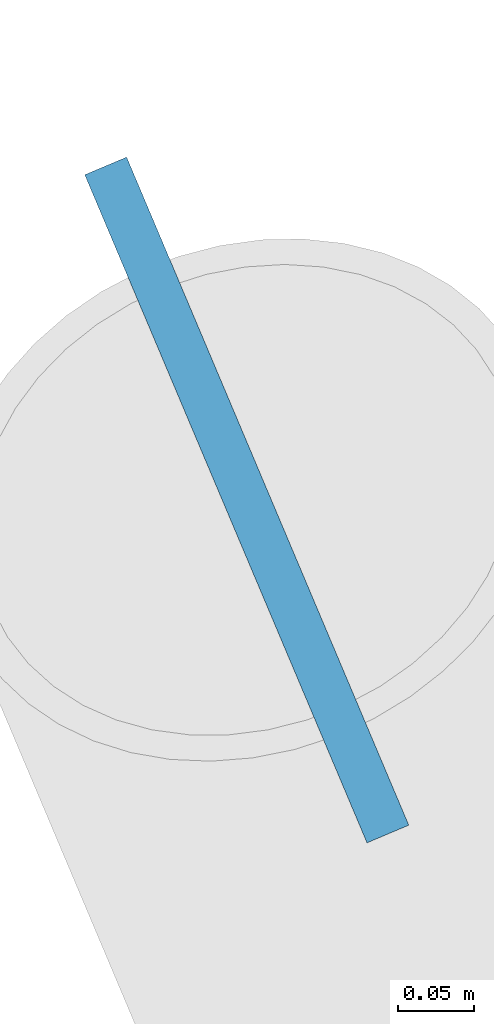
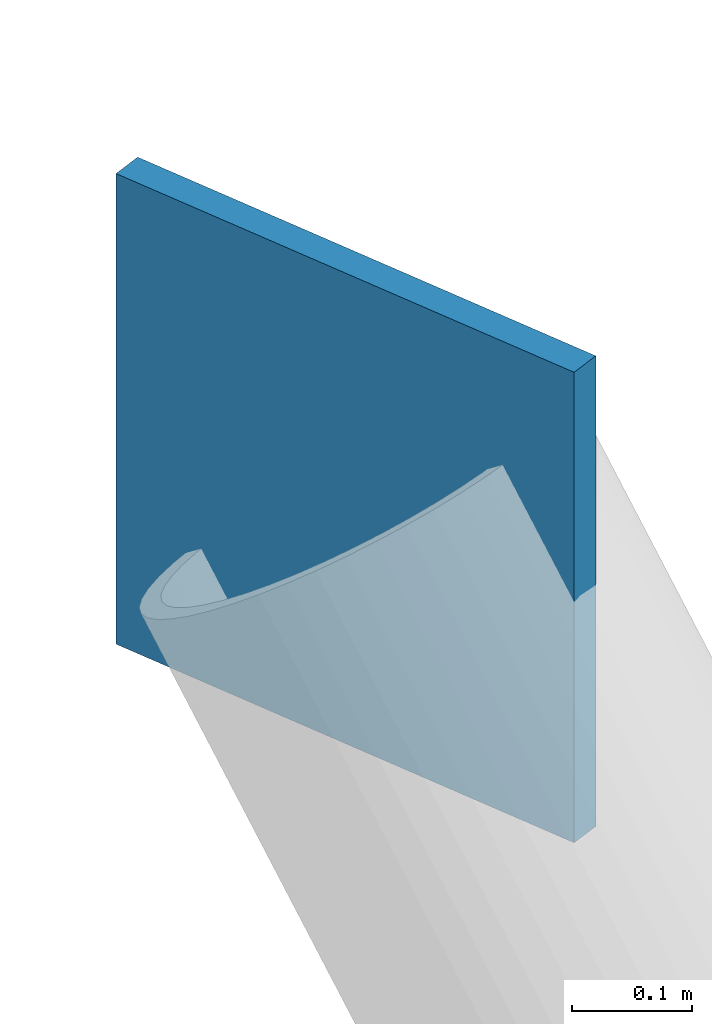
# One storey, part 4 of 12: 1 plate.
"""IFC4 building model written with IfcOpenShell, lengths in metres."""

from ifc_helpers import new_model, si_unit, direction, frame, origin, origin_2d, place, context, subcontext, project, spatial, rectangle, extrude, material, layer, layer_set, type_object, element, save


model = new_model("IFC4")

# Units and contexts
model_context = context("Model", 3, precision=1e-05, world=origin(), true_north=direction((0.0, 1.0)))
body_context = subcontext(model_context, "Body", "Model", "MODEL_VIEW")
ifc_project = project(units=[si_unit("LENGTHUNIT", "METRE"), si_unit("AREAUNIT", "SQUARE_METRE"), si_unit("VOLUMEUNIT", "CUBIC_METRE"), si_unit("PLANEANGLEUNIT", "RADIAN"), si_unit("MASSUNIT", "GRAM", prefix="KILO")], contexts=[model_context])

# Site, building, storey
site_placement = place(None, origin())
site = spatial("IfcSite", under=ifc_project, at=site_placement, CompositionType="ELEMENT")
building_placement = place(site_placement, origin())
building = spatial("IfcBuilding", under=site, at=building_placement, Name="Kranthara Brick Stack", CompositionType="ELEMENT")
storey_placement = place(building_placement, frame((0.0, 0.0, 90.60009765625)))
storey = spatial("IfcBuildingStorey", under=building, at=storey_placement, Name="L22", CompositionType="ELEMENT", Elevation=90.60009765625)

# Plate
ifc_material = material(Name="Steel S355", Category="steel")
ifc_layer = layer(ifc_material, 0.030029296875)
ifc_layer_set = layer_set([ifc_layer], Name="Steel S355")
plate_type = type_object("IfcPlateType", Name="PLT-GUSSET-30", PredefinedType="USERDEFINED", material=ifc_layer_set)
plate_placement = place(storey_placement, frame((9.300048828125, 52.39990234375, 2.909912109375), z_axis=(0.0, 0.0, 1.0), x_axis=(-0.38912395014, 0.921185405566, 0.0)))
element("IfcPlate", 1, at=plate_placement, inside=storey, type_object=plate_type, Name="L22 Brace and Strut End Connection Gusset Plate 038", ObjectType="GUSSET PLATE", PredefinedType="USERDEFINED", context=body_context, shape_type="SweptSolid", body=[
    extrude(rectangle(XDim=0.47998046875, YDim=0.030029296875, at=origin_2d()), origin(), (0.0, 0.0, 1.0), 0.47998046875),
])

save(model, "model.ifc")
